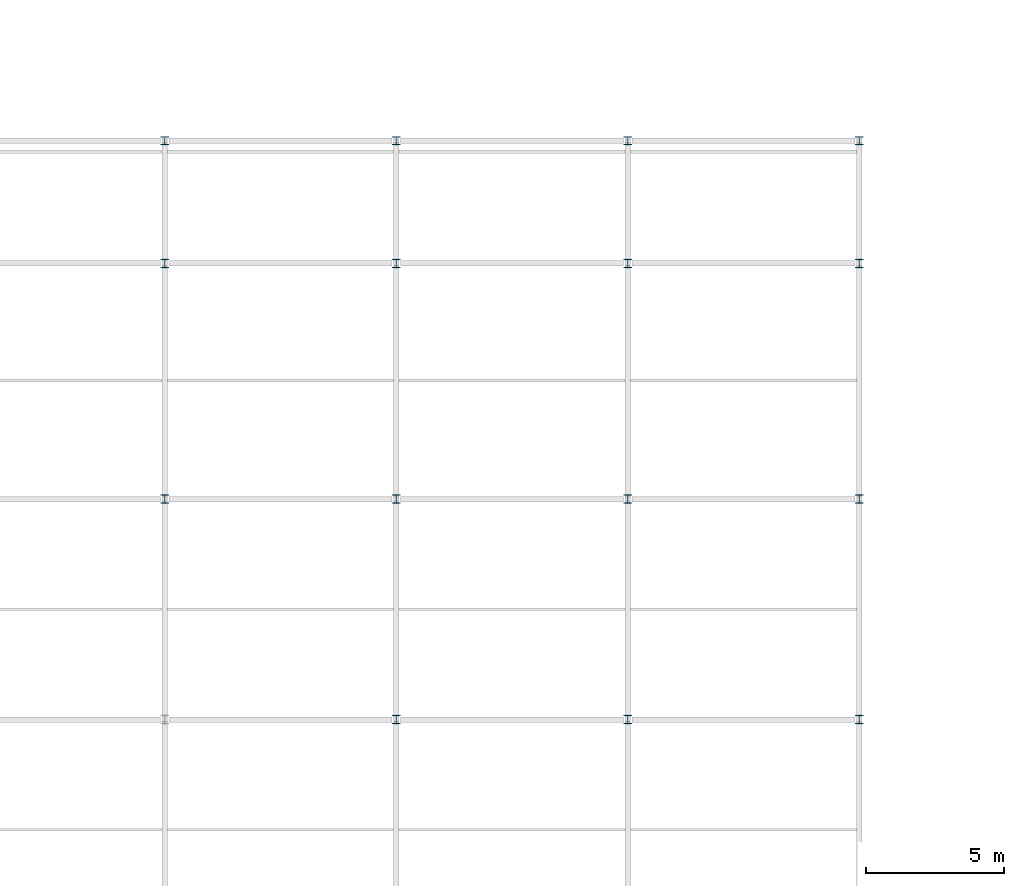
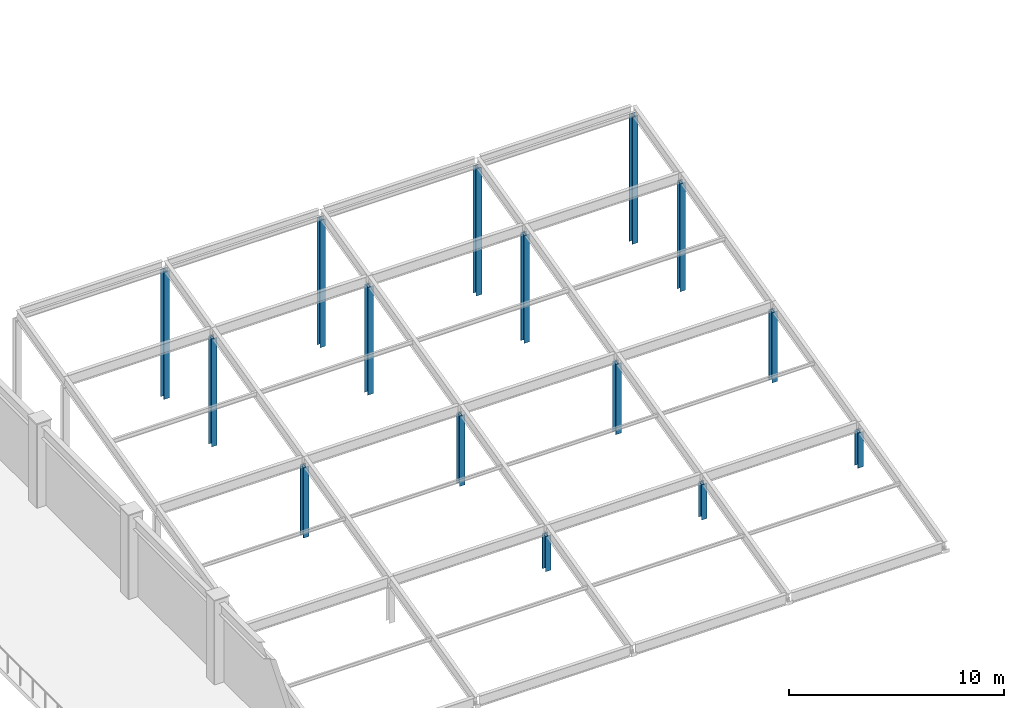
# One storey, part 12 of 93: 15 columns.
"""IFC4 building model written with IfcOpenShell, lengths in metres."""

from ifc_helpers import new_model, si_unit, direction, frame, origin, origin_2d, place, context, subcontext, project, spatial, i_section, extrude, material, material_profile, profile_set, type_object, element, save


model = new_model("IFC4")

# Units and contexts
model_context = context("Model", 3, precision=1e-05, world=origin(), true_north=direction((0.0, 1.0)))
body_context = subcontext(model_context, "Body", "Model", "MODEL_VIEW")
ifc_project = project(units=[si_unit("LENGTHUNIT", "METRE"), si_unit("AREAUNIT", "SQUARE_METRE"), si_unit("VOLUMEUNIT", "CUBIC_METRE"), si_unit("PLANEANGLEUNIT", "RADIAN"), si_unit("MASSUNIT", "GRAM", prefix="KILO")], contexts=[model_context])

# Site, building, storey
site_placement = place(None, origin())
site = spatial("IfcSite", under=ifc_project, at=site_placement, CompositionType="ELEMENT")
building_placement = place(site_placement, origin())
building = spatial("IfcBuilding", under=site, at=building_placement, Name="Kazehara Bluff Congress Hotel", CompositionType="ELEMENT")
storey_placement = place(building_placement, frame((0.0, 0.0, 15.0)))
storey = spatial("IfcBuildingStorey", under=building, at=storey_placement, Name="L03", CompositionType="ELEMENT", Elevation=15.0)

# Columns
ifc_material = material(Name="Steel SN400B", Category="steel")
ifc_material_profile = material_profile(ifc_material, i_section(OverallWidth=0.300048828125, OverallDepth=0.300048828125, WebThickness=0.010009765625, FlangeThickness=0.014892578125, FilletRadius=0.012939453125, at=origin_2d()))
ifc_profile_set = profile_set([ifc_material_profile], Name="Steel SN400B")
column_type = type_object("IfcColumnType", Name="TP-C-11", PredefinedType="COLUMN", material=ifc_profile_set)
column_1_placement = place(storey_placement, frame((67.64990234375, 96.89990234375, 0.0), z_axis=(0.0, 0.0, 1.0), x_axis=(1.0, 0.0, 0.0)))
element("IfcColumn", 1, at=column_1_placement, inside=storey, type_object=column_type, Name="Spa clerestory roof post (67.65,96.90)", PredefinedType="COLUMN", context=body_context, shape_type="SweptSolid", body=[
    extrude(i_section(OverallWidth=0.300048828125, OverallDepth=0.300048828125, WebThickness=0.010009765625, FlangeThickness=0.014892578125, FilletRadius=0.012939453125, at=origin_2d()), origin(), (0.0, 0.0, 1.0), 4.0048828125),
])
column_2_placement = place(storey_placement, frame((67.64990234375, 105.449951171875, 0.0), z_axis=(0.0, 0.0, 1.0), x_axis=(1.0, 0.0, 0.0)))
element("IfcColumn", 2, at=column_2_placement, inside=storey, type_object=column_type, Name="Spa clerestory roof post (67.65,105.45)", PredefinedType="COLUMN", context=body_context, shape_type="SweptSolid", body=[
    extrude(i_section(OverallWidth=0.300048828125, OverallDepth=0.300048828125, WebThickness=0.010009765625, FlangeThickness=0.014892578125, FilletRadius=0.012939453125, at=origin_2d()), origin(), (0.0, 0.0, 1.0), 6.139892578125),
])
column_3_placement = place(storey_placement, frame((67.64990234375, 109.89990234375, 0.0), z_axis=(0.0, 0.0, 1.0), x_axis=(1.0, 0.0, 0.0)))
element("IfcColumn", 3, at=column_3_placement, inside=storey, type_object=column_type, Name="Spa clerestory roof post (67.65,109.90)", PredefinedType="COLUMN", context=body_context, shape_type="SweptSolid", body=[
    extrude(i_section(OverallWidth=0.300048828125, OverallDepth=0.300048828125, WebThickness=0.010009765625, FlangeThickness=0.014892578125, FilletRadius=0.012939453125, at=origin_2d()), origin(), (0.0, 0.0, 1.0), 7.2451171875),
])
column_4_placement = place(storey_placement, frame((76.050048828125, 88.89990234375, 0.0), z_axis=(0.0, 0.0, 1.0), x_axis=(1.0, 0.0, 0.0)))
element("IfcColumn", 4, at=column_4_placement, inside=storey, type_object=column_type, Name="Spa clerestory roof post (76.05,88.90)", PredefinedType="COLUMN", context=body_context, shape_type="SweptSolid", body=[
    extrude(i_section(OverallWidth=0.300048828125, OverallDepth=0.300048828125, WebThickness=0.010009765625, FlangeThickness=0.014892578125, FilletRadius=0.012939453125, at=origin_2d()), origin(), (0.0, 0.0, 1.0), 2.010009765625),
])
column_5_placement = place(storey_placement, frame((76.050048828125, 96.89990234375, 0.0), z_axis=(0.0, 0.0, 1.0), x_axis=(1.0, 0.0, 0.0)))
element("IfcColumn", 5, at=column_5_placement, inside=storey, type_object=column_type, Name="Spa clerestory roof post (76.05,96.90)", PredefinedType="COLUMN", context=body_context, shape_type="SweptSolid", body=[
    extrude(i_section(OverallWidth=0.300048828125, OverallDepth=0.300048828125, WebThickness=0.010009765625, FlangeThickness=0.014892578125, FilletRadius=0.012939453125, at=origin_2d()), origin(), (0.0, 0.0, 1.0), 4.0048828125),
])
column_6_placement = place(storey_placement, frame((76.050048828125, 105.449951171875, 0.0), z_axis=(0.0, 0.0, 1.0), x_axis=(1.0, 0.0, 0.0)))
element("IfcColumn", 6, at=column_6_placement, inside=storey, type_object=column_type, Name="Spa clerestory roof post (76.05,105.45)", PredefinedType="COLUMN", context=body_context, shape_type="SweptSolid", body=[
    extrude(i_section(OverallWidth=0.300048828125, OverallDepth=0.300048828125, WebThickness=0.010009765625, FlangeThickness=0.014892578125, FilletRadius=0.012939453125, at=origin_2d()), origin(), (0.0, 0.0, 1.0), 6.139892578125),
])
column_7_placement = place(storey_placement, frame((76.050048828125, 109.89990234375, 0.0), z_axis=(0.0, 0.0, 1.0), x_axis=(1.0, 0.0, 0.0)))
element("IfcColumn", 7, at=column_7_placement, inside=storey, type_object=column_type, Name="Spa clerestory roof post (76.05,109.90)", PredefinedType="COLUMN", context=body_context, shape_type="SweptSolid", body=[
    extrude(i_section(OverallWidth=0.300048828125, OverallDepth=0.300048828125, WebThickness=0.010009765625, FlangeThickness=0.014892578125, FilletRadius=0.012939453125, at=origin_2d()), origin(), (0.0, 0.0, 1.0), 7.2451171875),
])
column_8_placement = place(storey_placement, frame((84.449951171875, 88.89990234375, 0.0), z_axis=(0.0, 0.0, 1.0), x_axis=(1.0, 0.0, 0.0)))
element("IfcColumn", 8, at=column_8_placement, inside=storey, type_object=column_type, Name="Spa clerestory roof post (84.45,88.90)", PredefinedType="COLUMN", context=body_context, shape_type="SweptSolid", body=[
    extrude(i_section(OverallWidth=0.300048828125, OverallDepth=0.300048828125, WebThickness=0.010009765625, FlangeThickness=0.014892578125, FilletRadius=0.012939453125, at=origin_2d()), origin(), (0.0, 0.0, 1.0), 2.010009765625),
])
column_9_placement = place(storey_placement, frame((84.449951171875, 96.89990234375, 0.0), z_axis=(0.0, 0.0, 1.0), x_axis=(1.0, 0.0, 0.0)))
element("IfcColumn", 9, at=column_9_placement, inside=storey, type_object=column_type, Name="Spa clerestory roof post (84.45,96.90)", PredefinedType="COLUMN", context=body_context, shape_type="SweptSolid", body=[
    extrude(i_section(OverallWidth=0.300048828125, OverallDepth=0.300048828125, WebThickness=0.010009765625, FlangeThickness=0.014892578125, FilletRadius=0.012939453125, at=origin_2d()), origin(), (0.0, 0.0, 1.0), 4.0048828125),
])
column_10_placement = place(storey_placement, frame((84.449951171875, 105.449951171875, 0.0), z_axis=(0.0, 0.0, 1.0), x_axis=(1.0, 0.0, 0.0)))
element("IfcColumn", 10, at=column_10_placement, inside=storey, type_object=column_type, Name="Spa clerestory roof post (84.45,105.45)", PredefinedType="COLUMN", context=body_context, shape_type="SweptSolid", body=[
    extrude(i_section(OverallWidth=0.300048828125, OverallDepth=0.300048828125, WebThickness=0.010009765625, FlangeThickness=0.014892578125, FilletRadius=0.012939453125, at=origin_2d()), origin(), (0.0, 0.0, 1.0), 6.139892578125),
])
column_11_placement = place(storey_placement, frame((84.449951171875, 109.89990234375, 0.0), z_axis=(0.0, 0.0, 1.0), x_axis=(1.0, 0.0, 0.0)))
element("IfcColumn", 11, at=column_11_placement, inside=storey, type_object=column_type, Name="Spa clerestory roof post (84.45,109.90)", PredefinedType="COLUMN", context=body_context, shape_type="SweptSolid", body=[
    extrude(i_section(OverallWidth=0.300048828125, OverallDepth=0.300048828125, WebThickness=0.010009765625, FlangeThickness=0.014892578125, FilletRadius=0.012939453125, at=origin_2d()), origin(), (0.0, 0.0, 1.0), 7.2451171875),
])
column_12_placement = place(storey_placement, frame((92.85009765625, 88.89990234375, 0.0), z_axis=(0.0, 0.0, 1.0), x_axis=(1.0, 0.0, 0.0)))
element("IfcColumn", 12, at=column_12_placement, inside=storey, type_object=column_type, Name="Spa clerestory roof post (92.85,88.90)", PredefinedType="COLUMN", context=body_context, shape_type="SweptSolid", body=[
    extrude(i_section(OverallWidth=0.300048828125, OverallDepth=0.300048828125, WebThickness=0.010009765625, FlangeThickness=0.014892578125, FilletRadius=0.012939453125, at=origin_2d()), origin(), (0.0, 0.0, 1.0), 2.010009765625),
])
column_13_placement = place(storey_placement, frame((92.85009765625, 96.89990234375, 0.0), z_axis=(0.0, 0.0, 1.0), x_axis=(1.0, 0.0, 0.0)))
element("IfcColumn", 13, at=column_13_placement, inside=storey, type_object=column_type, Name="Spa clerestory roof post (92.85,96.90)", PredefinedType="COLUMN", context=body_context, shape_type="SweptSolid", body=[
    extrude(i_section(OverallWidth=0.300048828125, OverallDepth=0.300048828125, WebThickness=0.010009765625, FlangeThickness=0.014892578125, FilletRadius=0.012939453125, at=origin_2d()), origin(), (0.0, 0.0, 1.0), 4.0048828125),
])
column_14_placement = place(storey_placement, frame((92.85009765625, 105.449951171875, 0.0), z_axis=(0.0, 0.0, 1.0), x_axis=(1.0, 0.0, 0.0)))
element("IfcColumn", 14, at=column_14_placement, inside=storey, type_object=column_type, Name="Spa clerestory roof post (92.85,105.45)", PredefinedType="COLUMN", context=body_context, shape_type="SweptSolid", body=[
    extrude(i_section(OverallWidth=0.300048828125, OverallDepth=0.300048828125, WebThickness=0.010009765625, FlangeThickness=0.014892578125, FilletRadius=0.012939453125, at=origin_2d()), origin(), (0.0, 0.0, 1.0), 6.139892578125),
])
column_15_placement = place(storey_placement, frame((92.85009765625, 109.89990234375, 0.0), z_axis=(0.0, 0.0, 1.0), x_axis=(1.0, 0.0, 0.0)))
element("IfcColumn", 15, at=column_15_placement, inside=storey, type_object=column_type, Name="Spa clerestory roof post (92.85,109.90)", PredefinedType="COLUMN", context=body_context, shape_type="SweptSolid", body=[
    extrude(i_section(OverallWidth=0.300048828125, OverallDepth=0.300048828125, WebThickness=0.010009765625, FlangeThickness=0.014892578125, FilletRadius=0.012939453125, at=origin_2d()), origin(), (0.0, 0.0, 1.0), 7.2451171875),
])

save(model, "model.ifc")
